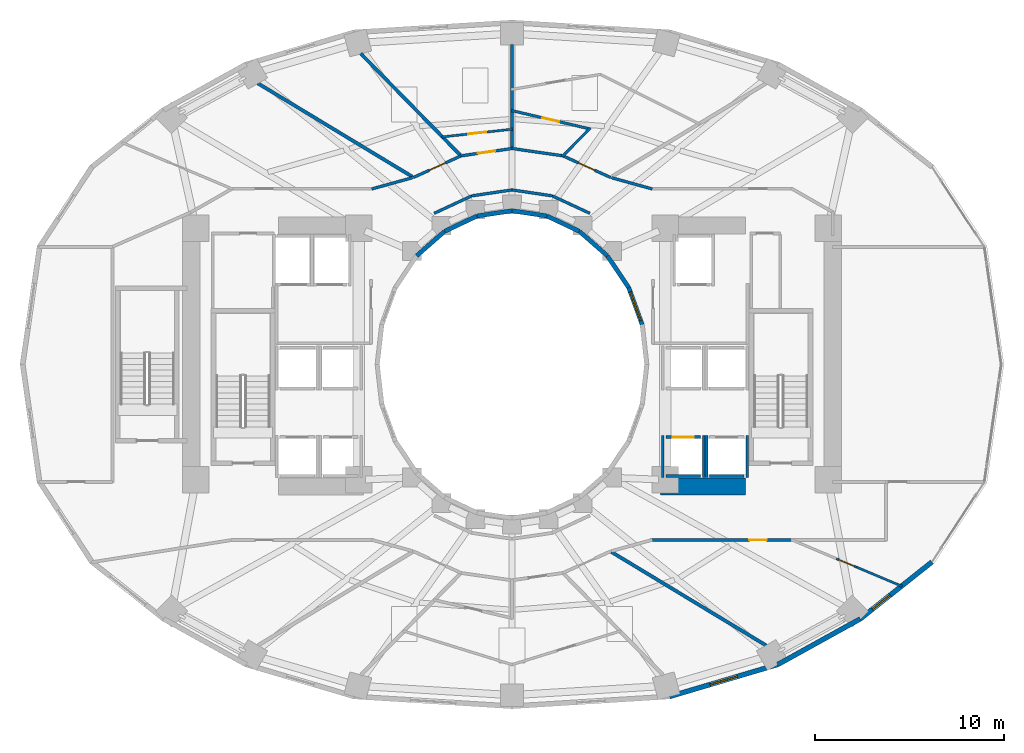
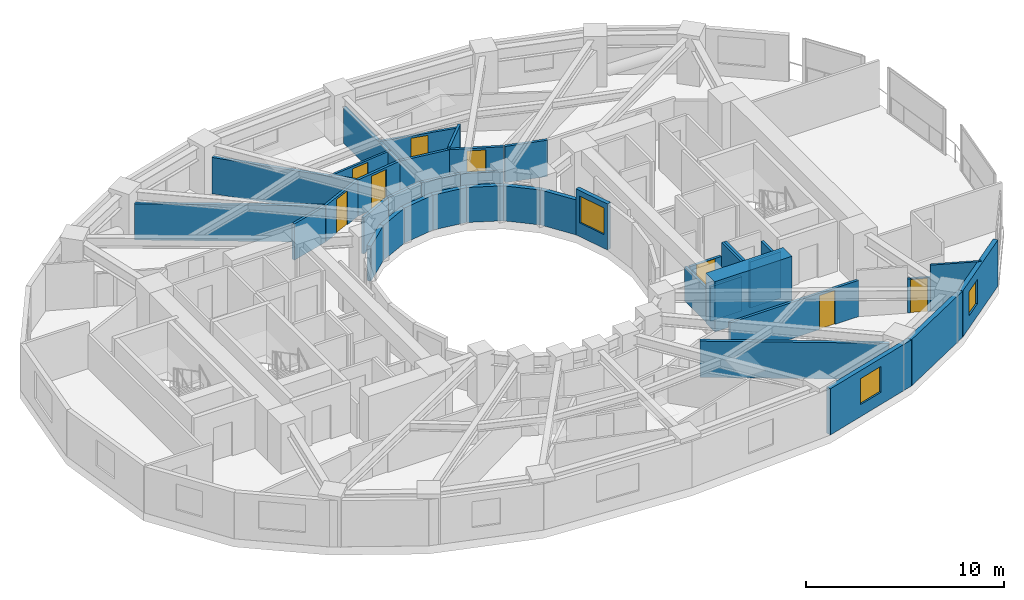
# One storey, part 9 of 15: 39 walls, 8 doors, 3 windows, 11 openings.
"""IFC4 building model written with IfcOpenShell, lengths in metres."""

from ifc_helpers import new_model, si_unit, direction, frame, frame_2d, origin, place, context, subcontext, project, spatial, rectangle, extrude, material, layer, layer_set, type_object, element, fill, save


model = new_model("IFC4")

# Units and contexts
model_context = context("Model", 3, precision=1e-05, world=origin(), true_north=direction((0.0, 1.0)))
body_context = subcontext(model_context, "Body", "Model", "MODEL_VIEW")
ifc_project = project(units=[si_unit("LENGTHUNIT", "METRE"), si_unit("AREAUNIT", "SQUARE_METRE"), si_unit("VOLUMEUNIT", "CUBIC_METRE"), si_unit("PLANEANGLEUNIT", "RADIAN"), si_unit("MASSUNIT", "GRAM", prefix="KILO")], contexts=[model_context])

# Site, building, storey
site_placement = place(None, origin())
site = spatial("IfcSite", under=ifc_project, at=site_placement, CompositionType="ELEMENT")
building_placement = place(site_placement, origin())
building = spatial("IfcBuilding", under=site, at=building_placement, Name="Solvane Sanctuary Tower", CompositionType="ELEMENT")
storey_placement = place(building_placement, frame((0.0, 0.0, 46.199951171875)))
storey = spatial("IfcBuildingStorey", under=building, at=storey_placement, Name="L13", CompositionType="ELEMENT", Elevation=46.199951171875)

# Walls
ifc_material_1 = material(Name="Concrete C70/85", Category="concrete")
ifc_layer_1 = layer(ifc_material_1, 0.89990234375, Name="Concrete C70/85")
ifc_layer_set_1 = layer_set([ifc_layer_1], Name="Concrete C70/85")
wall_type_1 = type_object("IfcWallType", Name="Wall W-CORE-900", PredefinedType="SHEAR", material=ifc_layer_set_1)
wall_1_placement = place(storey_placement, frame((39.85009765625, 16.550048828125, 0.0), z_axis=(0.0, 0.0, 1.0), x_axis=(1.0, 0.0, 0.0)))
element("IfcWall", 1, at=wall_1_placement, inside=storey, type_object=wall_type_1, Name="L13 Core Shear Wall EC-S", PredefinedType="SHEAR", context=body_context, shape_type="SweptSolid", body=[
    extrude(rectangle(XDim=4.5, YDim=0.89990234375, at=frame_2d((2.25, 0.0))), origin(), (0.0, 0.0, 1.0), 3.10009765625),
])
ifc_material_2 = material(Name="Acoustic Gypsum Partition Board")
ifc_layer_2 = layer(ifc_material_2, 0.14990234375, Name="Acoustic Gypsum Partition Board")
ifc_layer_set_2 = layer_set([ifc_layer_2], Name="Acoustic Gypsum Partition Board")
wall_type_2 = type_object("IfcWallType", Name="Wall W-CORR-150", PredefinedType="PARTITIONING", material=ifc_layer_set_2)
wall_2_placement = place(storey_placement, frame((36.110107421875, 30.98486328125, 0.0), z_axis=(0.0, 0.0, 1.0), x_axis=(-0.906943449489, 0.421252393975, 0.0)))
element("IfcWall", 2, at=wall_2_placement, inside=storey, type_object=wall_type_2, Name="L13 Light-Well Corridor Rim Wall N1", PredefinedType="PARTITIONING", context=body_context, shape_type="SweptSolid", body=[
    extrude(rectangle(XDim=2.18603515625, YDim=0.14990234375, at=frame_2d((1.093017578125, 0.0))), origin(), (0.0, 0.0, 1.0), 2.237060546875),
])
for number, where, z_axis, x_axis, name in (
    (3, (34.12744140625, 31.90576171875, 0.0), (0.0, 0.0, 1.0), (-0.989268584896, 0.146108408166, 0.0), "L13 Light-Well Corridor Rim Wall N2"),
    (4, (32.0, 32.219970703125, 0.0), (0.0, 0.0, 1.0), (-0.989268584896, -0.146108408166, 0.0), "L13 Light-Well Corridor Rim Wall N3"),
):
    element("IfcWall", number, at=place(storey_placement, frame(where, z_axis=z_axis, x_axis=x_axis)), inside=storey, type_object=wall_type_2, Name=name, PredefinedType="PARTITIONING", context=body_context, shape_type="SweptSolid", body=[
        extrude(rectangle(XDim=2.150634765625, YDim=0.14990234375, at=frame_2d((1.0751953125, 0.0))), origin(), (0.0, 0.0, 1.0), 2.237060546875),
    ])
wall_3_placement = place(storey_placement, frame((29.87255859375, 31.90576171875, 0.0), z_axis=(0.0, 0.0, 1.0), x_axis=(-0.906943449489, -0.421252393975, 0.0)))
element("IfcWall", 5, at=wall_3_placement, inside=storey, type_object=wall_type_2, Name="L13 Light-Well Corridor Rim Wall N4", PredefinedType="PARTITIONING", context=body_context, shape_type="SweptSolid", body=[
    extrude(rectangle(XDim=2.18603515625, YDim=0.14990234375, at=frame_2d((1.093017578125, 0.0))), origin(), (0.0, 0.0, 1.0), 2.237060546875),
])
for number, where, z_axis, x_axis, name in (
    (6, (37.258056640625, 32.86669921875, 0.0), (0.0, 0.0, 1.0), (0.963833843713, -0.266503886865, 0.0), "L13 NE Corner Throat Wall"),
    (7, (26.741943359375, 32.86669921875, 0.0), (0.0, 0.0, 1.0), (-0.963833843713, -0.266503886865, 0.0), "L13 NW Corner Throat Wall"),
):
    element("IfcWall", number, at=place(storey_placement, frame(where, z_axis=z_axis, x_axis=x_axis)), inside=storey, type_object=wall_type_2, Name=name, PredefinedType="PARTITIONING", context=body_context, shape_type="SweptSolid", body=[
        extrude(rectangle(XDim=2.231689453125, YDim=0.14990234375, at=frame_2d((1.11572265625, 0.0))), origin(), (0.0, 0.0, 1.0), 2.237060546875),
    ])

# Wall, opening, door
wall_4_placement = place(storey_placement, frame((39.330078125, 13.719970703125, 0.0), z_axis=(0.0, 0.0, 1.0), x_axis=(1.0, 0.0, 0.0)))
wall_4 = element("IfcWall", 8, at=wall_4_placement, inside=storey, type_object=wall_type_2, Name="L13 SE Corner Corridor Wall", PredefinedType="PARTITIONING", context=body_context, shape_type="SweptSolid", body=[
    extrude(rectangle(XDim=7.52001953125, YDim=0.14990234375, at=frame_2d((3.760009765625, 0.0))), origin(), (0.0, 0.0, 1.0), 2.237060546875),
])
opening_1_placement = place(wall_4_placement, frame((5.219970703125, 0.0, 0.0)))
opening_1 = element("IfcOpeningElement", 9, at=opening_1_placement, cuts=wall_4, Name="Opening D-L13-15", PredefinedType="OPENING", context=body_context, shape_type="SweptSolid", body=[
    extrude(rectangle(XDim=0.89990234375, YDim=2.10009765625, at=frame_2d((0.449951171875, 1.050048828125))), frame((0.0, 0.0849609375, 0.0), z_axis=(0.0, -1.0, 0.0), x_axis=(1.0, 0.0, 0.0)), (0.0, 0.0, 1.0), 0.169921875),
])
ifc_material_3 = material(Name="Engineered Tropical Hardwood", Category="wood")
door_type_1 = type_object("IfcDoorType", Name="Door D-WET-900", OperationType="NOTDEFINED", PredefinedType="DOOR", material=ifc_material_3)
door_1_placement = place(opening_1_placement, origin())
door_1 = element("IfcDoor", 10, at=door_1_placement, inside=storey, type_object=door_type_1, Name="L13 SE Corner Salon Door", OperationType="SINGLE_SWING_RIGHT", OverallHeight=2.10009765625, OverallWidth=0.89990234375, PredefinedType="DOOR", context=body_context, shape_type="SweptSolid", body=[
    extrude(rectangle(XDim=0.89990234375, YDim=2.10009765625, at=frame_2d((0.449951171875, 1.050048828125))), frame((0.0, 0.02490234375, 0.0), z_axis=(0.0, -1.0, 0.0), x_axis=(1.0, 0.0, 0.0)), (0.0, 0.0, 1.0), 0.050048828125),
])
fill(opening_1, door_1)

# Wall
wall_5_placement = place(storey_placement, frame((34.743896484375, 34.01416015625, 0.0), z_axis=(0.0, 0.0, 1.0), x_axis=(-0.989761784218, 0.142729150844, 0.0)))
element("IfcWall", 11, at=wall_5_placement, inside=storey, type_object=wall_type_2, Name="L13 En-suite Inner Wall N1", PredefinedType="PARTITIONING", context=body_context, shape_type="SweptSolid", body=[
    extrude(rectangle(XDim=2.822265625, YDim=0.14990234375, at=frame_2d((1.4111328125, 0.0))), origin(), (0.0, 0.0, 1.0), 2.237060546875),
])

# Wall, opening, door
wall_6_placement = place(storey_placement, frame((37.211181640625, 32.87744140625, 0.0), z_axis=(0.0, 0.0, 1.0), x_axis=(-0.910568469686, 0.41335827319, 0.0)))
wall_6 = element("IfcWall", 12, at=wall_6_placement, inside=storey, type_object=wall_type_2, Name="L13 Unit Corridor Wall N1", PredefinedType="PARTITIONING", context=body_context, shape_type="SweptSolid", body=[
    extrude(rectangle(XDim=2.771728515625, YDim=0.14990234375, at=frame_2d((1.3857421875, 0.0))), origin(), (0.0, 0.0, 1.0), 2.237060546875),
])
opening_2_placement = place(wall_6_placement, frame((0.910888671875, 0.0, 0.0)))
opening_2 = element("IfcOpeningElement", 13, at=opening_2_placement, cuts=wall_6, Name="Opening D-L13-18", PredefinedType="OPENING", context=body_context, shape_type="SweptSolid", body=[
    extrude(rectangle(XDim=0.949951171875, YDim=2.10009765625, at=frame_2d((0.47509765625, 1.050048828125))), frame((0.0, 0.0849609375, 0.0), z_axis=(0.0, -1.0, 0.0), x_axis=(1.0, 0.0, 0.0)), (0.0, 0.0, 1.0), 0.169921875),
])
door_type_2 = type_object("IfcDoorType", Name="Door D-ROOM-950", OperationType="NOTDEFINED", PredefinedType="DOOR", material=ifc_material_3)
door_2_placement = place(opening_2_placement, origin())
door_2 = element("IfcDoor", 14, at=door_2_placement, inside=storey, type_object=door_type_2, Name="L13 Unit Entrance Door N1", OperationType="SINGLE_SWING_LEFT", OverallHeight=2.10009765625, OverallWidth=0.949951171875, PredefinedType="DOOR", context=body_context, shape_type="SweptSolid", body=[
    extrude(rectangle(XDim=0.949951171875, YDim=2.10009765625, at=frame_2d((0.47509765625, 1.050048828125))), frame((0.0, 0.02490234375, 0.0), z_axis=(0.0, -1.0, 0.0), x_axis=(1.0, 0.0, 0.0)), (0.0, 0.0, 1.0), 0.050048828125),
])
fill(opening_2, door_2)

wall_7_placement = place(storey_placement, frame((32.00732421875, 34.409912109375, 0.0), z_axis=(0.0, 0.0, 1.0), x_axis=(-0.989748682384, -0.142819976611, 0.0)))
wall_7 = element("IfcWall", 15, at=wall_7_placement, inside=storey, type_object=wall_type_2, Name="L13 Unit Corridor Wall N2", PredefinedType="PARTITIONING", context=body_context, shape_type="SweptSolid", body=[
    extrude(rectangle(XDim=2.73681640625, YDim=0.14990234375, at=frame_2d((1.368408203125, 0.0))), origin(), (0.0, 0.0, 1.0), 2.237060546875),
])
opening_3_placement = place(wall_7_placement, frame((0.893310546875, 0.0, 0.0)))
opening_3 = element("IfcOpeningElement", 16, at=opening_3_placement, cuts=wall_7, Name="Opening D-L13-20", PredefinedType="OPENING", context=body_context, shape_type="SweptSolid", body=[
    extrude(rectangle(XDim=0.949951171875, YDim=2.10009765625, at=frame_2d((0.47509765625, 1.050048828125))), frame((0.0, 0.0849609375, 0.0), z_axis=(0.0, -1.0, 0.0), x_axis=(1.0, 0.0, 0.0)), (0.0, 0.0, 1.0), 0.169921875),
])
door_3_placement = place(opening_3_placement, origin())
door_3 = element("IfcDoor", 17, at=door_3_placement, inside=storey, type_object=door_type_2, Name="L13 Unit Entrance Door N2", OperationType="SINGLE_SWING_LEFT", OverallHeight=2.10009765625, OverallWidth=0.949951171875, PredefinedType="DOOR", context=body_context, shape_type="SweptSolid", body=[
    extrude(rectangle(XDim=0.949951171875, YDim=2.10009765625, at=frame_2d((0.47509765625, 1.050048828125))), frame((0.0, 0.02490234375, 0.0), z_axis=(0.0, -1.0, 0.0), x_axis=(1.0, 0.0, 0.0)), (0.0, 0.0, 1.0), 0.050048828125),
])
fill(opening_3, door_3)

wall_8_placement = place(storey_placement, frame((29.312744140625, 34.023193359375, 0.0), z_axis=(0.0, 0.0, 1.0), x_axis=(-0.910568469686, -0.41335827319, 0.0)))
wall_8 = element("IfcWall", 18, at=wall_8_placement, inside=storey, type_object=wall_type_2, Name="L13 Unit Corridor Wall N3", PredefinedType="PARTITIONING", context=body_context, shape_type="SweptSolid", body=[
    extrude(rectangle(XDim=2.771728515625, YDim=0.14990234375, at=frame_2d((1.3857421875, 0.0))), origin(), (0.0, 0.0, 1.0), 2.237060546875),
])
opening_4_placement = place(wall_8_placement, frame((0.910888671875, 0.0, 0.0)))
opening_4 = element("IfcOpeningElement", 19, at=opening_4_placement, cuts=wall_8, Name="Opening D-L13-21", PredefinedType="OPENING", context=body_context, shape_type="SweptSolid", body=[
    extrude(rectangle(XDim=0.949951171875, YDim=2.10009765625, at=frame_2d((0.47509765625, 1.050048828125))), frame((0.0, 0.0849609375, 0.0), z_axis=(0.0, -1.0, 0.0), x_axis=(1.0, 0.0, 0.0)), (0.0, 0.0, 1.0), 0.169921875),
])
door_4_placement = place(opening_4_placement, origin())
door_4 = element("IfcDoor", 20, at=door_4_placement, inside=storey, type_object=door_type_2, Name="L13 Unit Entrance Door N3", OperationType="SINGLE_SWING_RIGHT", OverallHeight=2.10009765625, OverallWidth=0.949951171875, PredefinedType="DOOR", context=body_context, shape_type="SweptSolid", body=[
    extrude(rectangle(XDim=0.949951171875, YDim=2.10009765625, at=frame_2d((0.47509765625, 1.050048828125))), frame((0.0, 0.02490234375, 0.0), z_axis=(0.0, -1.0, 0.0), x_axis=(1.0, 0.0, 0.0)), (0.0, 0.0, 1.0), 0.050048828125),
])
fill(opening_4, door_4)

# Wall, opening, window
ifc_material_4 = material(Name="Precast concrete C40/50", Category="concrete")
ifc_layer_3 = layer(ifc_material_4, 0.260009765625, Name="Precast concrete C40/50")
ifc_layer_set_3 = layer_set([ifc_layer_3], Name="Precast concrete C40/50")
wall_type_3 = type_object("IfcWallType", Name="Wall W-EXT-250", PredefinedType="STANDARD", material=ifc_layer_set_3)
wall_9_placement = place(storey_placement, frame((40.331787109375, 5.447021484375, 0.0), z_axis=(0.0, 0.0, 1.0), x_axis=(0.958843593522, 0.283934786811, 0.0)))
wall_9 = element("IfcWall", 21, at=wall_9_placement, inside=storey, type_object=wall_type_3, Name="L13 Ceramic-Printed Facade Wall 19", PredefinedType="STANDARD", context=body_context, shape_type="SweptSolid", body=[
    extrude(rectangle(XDim=5.955322265625, YDim=0.260009765625, at=frame_2d((2.9775390625, 0.0))), origin(), (0.0, 0.0, 1.0), 2.85009765625),
])
opening_5_placement = place(wall_9_placement, frame((2.227783203125, 0.0, 0.75)))
opening_5 = element("IfcOpeningElement", 22, at=opening_5_placement, cuts=wall_9, Name="Opening WN-OPER-1500", PredefinedType="OPENING", context=body_context, shape_type="SweptSolid", body=[
    extrude(rectangle(XDim=1.5, YDim=1.60009765625, at=frame_2d((0.75, 0.800048828125))), frame((0.0, 0.139892578125, 0.0), z_axis=(0.0, -1.0, 0.0), x_axis=(1.0, 0.0, 0.0)), (0.0, 0.0, 1.0), 0.280029296875),
])
ifc_material_5 = material(Name="Dark Ceramic-Fritted Low-E Glass", Category="glass")
window_type_1 = type_object("IfcWindowType", Name="Window WN-OPER-1500", PartitioningType="SINGLE_PANEL", PredefinedType="WINDOW", material=ifc_material_5)
window_1_placement = place(opening_5_placement, origin())
window_1 = element("IfcWindow", 23, at=window_1_placement, inside=storey, type_object=window_type_1, Name="L13 Operable Facade Window 19", OverallHeight=1.60009765625, OverallWidth=1.5, PartitioningType="SINGLE_PANEL", PredefinedType="WINDOW", context=body_context, shape_type="SweptSolid", body=[
    extrude(rectangle(XDim=1.5, YDim=1.60009765625, at=frame_2d((0.75, 0.800048828125))), frame((0.0, 0.030029296875, 0.0), z_axis=(0.0, -1.0, 0.0), x_axis=(1.0, 0.0, 0.0)), (0.0, 0.0, 1.0), 0.06005859375),
])
fill(opening_5, window_1)

# Wall
wall_10_placement = place(storey_placement, frame((46.0419921875, 7.137939453125, 0.0), z_axis=(0.0, 0.0, 1.0), x_axis=(0.875137303239, 0.483874674352, 0.0)))
element("IfcWall", 24, at=wall_10_placement, inside=storey, type_object=wall_type_3, Name="L13 Ceramic-Printed Facade Wall 20", PredefinedType="STANDARD", context=body_context, shape_type="SweptSolid", body=[
    extrude(rectangle(XDim=4.985107421875, YDim=0.260009765625, at=frame_2d((2.49267578125, 0.0))), origin(), (0.0, 0.0, 1.0), 2.85009765625),
])

# Wall, opening, window
wall_11_placement = place(storey_placement, frame((50.404541015625, 9.550048828125, 0.0), z_axis=(0.0, 0.0, 1.0), x_axis=(0.783123133379, 0.621866672179, 0.0)))
wall_11 = element("IfcWall", 25, at=wall_11_placement, inside=storey, type_object=wall_type_3, Name="L13 Ceramic-Printed Facade Wall 21", PredefinedType="STANDARD", context=body_context, shape_type="SweptSolid", body=[
    extrude(rectangle(XDim=4.838623046875, YDim=0.260009765625, at=frame_2d((2.41943359375, 0.0))), origin(), (0.0, 0.0, 1.0), 2.85009765625),
])
opening_6_placement = place(wall_11_placement, frame((0.819091796875, 0.0, 0.75)))
opening_6 = element("IfcOpeningElement", 26, at=opening_6_placement, cuts=wall_11, Name="Opening WN-OPER-1200", PredefinedType="OPENING", context=body_context, shape_type="SweptSolid", body=[
    extrude(rectangle(XDim=1.199951171875, YDim=1.5, at=frame_2d((0.60009765625, 0.75))), frame((0.0, 0.139892578125, 0.0), z_axis=(0.0, -1.0, 0.0), x_axis=(1.0, 0.0, 0.0)), (0.0, 0.0, 1.0), 0.280029296875),
])
window_type_2 = type_object("IfcWindowType", Name="Window WN-OPER-1200", PartitioningType="SINGLE_PANEL", PredefinedType="WINDOW", material=ifc_material_5)
window_2_placement = place(opening_6_placement, origin())
window_2 = element("IfcWindow", 27, at=window_2_placement, inside=storey, type_object=window_type_2, Name="L13 Operable Facade Window 21", OverallHeight=1.5, OverallWidth=1.199951171875, PartitioningType="SINGLE_PANEL", PredefinedType="WINDOW", context=body_context, shape_type="SweptSolid", body=[
    extrude(rectangle(XDim=1.199951171875, YDim=1.5, at=frame_2d((0.60009765625, 0.75))), frame((0.0, 0.030029296875, 0.0), z_axis=(0.0, -1.0, 0.0), x_axis=(1.0, 0.0, 0.0)), (0.0, 0.0, 1.0), 0.06005859375),
])
fill(opening_6, window_2)

ifc_layer_4 = layer(ifc_material_4, 0.22998046875, Name="Precast concrete C40/50")
ifc_layer_set_4 = layer_set([ifc_layer_4], Name="Precast concrete C40/50")
wall_type_4 = type_object("IfcWallType", Name="Wall W-EXT-SP220", PredefinedType="STANDARD", material=ifc_layer_set_4)
wall_12_placement = place(storey_placement, frame((38.87744140625, 25.1015625, 0.0), z_axis=(0.0, 0.0, 1.0), x_axis=(-0.341423187295, 0.93990968033, 0.0)))
wall_12 = element("IfcWall", 28, at=wall_12_placement, inside=storey, type_object=wall_type_4, Name="L13 Central Light-Well Wall 01", PredefinedType="STANDARD", context=body_context, shape_type="SweptSolid", body=[
    extrude(rectangle(XDim=2.083740234375, YDim=0.22998046875, at=frame_2d((1.0419921875, 0.0))), origin(), (0.0, 0.0, 1.0), 2.840087890625),
])
opening_7_placement = place(wall_12_placement, frame((0.24169921875, 0.0, 0.85009765625)))
opening_7 = element("IfcOpeningElement", 29, at=opening_7_placement, cuts=wall_12, Name="Opening WN-WELL-1600", PredefinedType="OPENING", context=body_context, shape_type="SweptSolid", body=[
    extrude(rectangle(XDim=1.60009765625, YDim=1.64990234375, at=frame_2d((0.800048828125, 0.824951171875))), frame((0.0, 0.125, 0.0), z_axis=(0.0, -1.0, 0.0), x_axis=(1.0, 0.0, 0.0)), (0.0, 0.0, 1.0), 0.25),
])
ifc_material_6 = material(Name="Clear Laminated Light-Well Glass", Category="glass")
window_type_3 = type_object("IfcWindowType", Name="Window WN-WELL-1600", PartitioningType="SINGLE_PANEL", PredefinedType="WINDOW", material=ifc_material_6)
window_3_placement = place(opening_7_placement, origin())
window_3 = element("IfcWindow", 30, at=window_3_placement, inside=storey, type_object=window_type_3, Name="L13 Light-Well Daylight Window 01", OverallHeight=1.64990234375, OverallWidth=1.60009765625, PartitioningType="SINGLE_PANEL", PredefinedType="WINDOW", context=body_context, shape_type="SweptSolid", body=[
    extrude(rectangle(XDim=1.60009765625, YDim=1.64990234375, at=frame_2d((0.800048828125, 0.824951171875))), frame((0.0, 0.030029296875, 0.0), z_axis=(0.0, -1.0, 0.0), x_axis=(1.0, 0.0, 0.0)), (0.0, 0.0, 1.0), 0.06005859375),
])
fill(opening_7, window_3)

# Walls
wall_13_placement = place(storey_placement, frame((38.166015625, 27.06005859375, 0.0), z_axis=(0.0, 0.0, 1.0), x_axis=(-0.558197800898, 0.829707909492, 0.0)))
element("IfcWall", 31, at=wall_13_placement, inside=storey, type_object=wall_type_4, Name="L13 Central Light-Well Wall 02", PredefinedType="STANDARD", context=body_context, shape_type="SweptSolid", body=[
    extrude(rectangle(XDim=2.02685546875, YDim=0.22998046875, at=frame_2d((1.013427734375, 0.0))), origin(), (0.0, 0.0, 1.0), 2.16015625),
])
wall_14_placement = place(storey_placement, frame((37.03466796875, 28.74169921875, 0.0), z_axis=(0.0, 0.0, 1.0), x_axis=(-0.752576694707, 0.658504607869, 0.0)))
element("IfcWall", 32, at=wall_14_placement, inside=storey, type_object=wall_type_4, Name="L13 Central Light-Well Wall 03", PredefinedType="STANDARD", context=body_context, shape_type="SweptSolid", body=[
    extrude(rectangle(XDim=1.95947265625, YDim=0.22998046875, at=frame_2d((0.979736328125, 0.0))), origin(), (0.0, 0.0, 1.0), 2.16015625),
])
wall_15_placement = place(storey_placement, frame((35.56005859375, 30.031982421875, 0.0), z_axis=(0.0, 0.0, 1.0), x_axis=(-0.904179699603, 0.427152280606, 0.0)))
element("IfcWall", 33, at=wall_15_placement, inside=storey, type_object=wall_type_4, Name="L13 Central Light-Well Wall 04", PredefinedType="STANDARD", context=body_context, shape_type="SweptSolid", body=[
    extrude(rectangle(XDim=1.899169921875, YDim=0.22998046875, at=frame_2d((0.94970703125, 0.0))), origin(), (0.0, 0.0, 1.0), 2.16015625),
])
for number, where, z_axis, x_axis, name in (
    (34, (33.8427734375, 30.84326171875, 0.0), (0.0, 0.0, 1.0), (-0.988901730308, 0.148571086668, 0.0), "L13 Central Light-Well Wall 05"),
    (35, (32.0, 31.1201171875, 0.0), (0.0, 0.0, 1.0), (-0.988901730308, -0.148571086668, 0.0), "L13 Central Light-Well Wall 06"),
):
    element("IfcWall", number, at=place(storey_placement, frame(where, z_axis=z_axis, x_axis=x_axis)), inside=storey, type_object=wall_type_4, Name=name, PredefinedType="STANDARD", context=body_context, shape_type="SweptSolid", body=[
        extrude(rectangle(XDim=1.863525390625, YDim=0.22998046875, at=frame_2d((0.931640625, 0.0))), origin(), (0.0, 0.0, 1.0), 2.16015625),
    ])
wall_16_placement = place(storey_placement, frame((30.1572265625, 30.84326171875, 0.0), z_axis=(0.0, 0.0, 1.0), x_axis=(-0.904179699603, -0.427152280606, 0.0)))
element("IfcWall", 36, at=wall_16_placement, inside=storey, type_object=wall_type_4, Name="L13 Central Light-Well Wall 07", PredefinedType="STANDARD", context=body_context, shape_type="SweptSolid", body=[
    extrude(rectangle(XDim=1.899169921875, YDim=0.22998046875, at=frame_2d((0.94970703125, 0.0))), origin(), (0.0, 0.0, 1.0), 2.16015625),
])
wall_17_placement = place(storey_placement, frame((28.43994140625, 30.031982421875, 0.0), z_axis=(0.0, 0.0, 1.0), x_axis=(-0.752576694707, -0.658504607869, 0.0)))
element("IfcWall", 37, at=wall_17_placement, inside=storey, type_object=wall_type_4, Name="L13 Central Light-Well Wall 08", PredefinedType="STANDARD", context=body_context, shape_type="SweptSolid", body=[
    extrude(rectangle(XDim=1.95947265625, YDim=0.22998046875, at=frame_2d((0.979736328125, 0.0))), origin(), (0.0, 0.0, 1.0), 2.16015625),
])

# Wall, opening, door
ifc_layer_5 = layer(ifc_material_2, 0.1201171875, Name="Acoustic Gypsum Partition Board")
ifc_layer_set_5 = layer_set([ifc_layer_5], Name="Acoustic Gypsum Partition Board")
wall_type_5 = type_object("IfcWallType", Name="Wall W-MOV-100", PredefinedType="MOVABLE", material=ifc_layer_set_5)
wall_18_placement = place(storey_placement, frame((49.14404296875, 12.7333984375, 0.0), z_axis=(0.0, 0.0, 1.0), x_axis=(0.92176888, -0.387739773384, 0.0)))
wall_18 = element("IfcWall", 38, at=wall_18_placement, inside=storey, type_object=wall_type_5, Name="L13 SE Corner Suite Partition", PredefinedType="MOVABLE", context=body_context, shape_type="SweptSolid", body=[
    extrude(rectangle(XDim=1.169921875, YDim=0.1201171875, at=frame_2d((0.5849609375, 0.0))), origin(), (0.0, 0.0, 1.0), 2.110107421875),
])
opening_8_placement = place(wall_18_placement, frame((0.159912109375, 0.0, 0.0)))
opening_8 = element("IfcOpeningElement", 39, at=opening_8_placement, cuts=wall_18, Name="Opening D-L13-14", PredefinedType="OPENING", context=body_context, shape_type="SweptSolid", body=[
    extrude(rectangle(XDim=0.85009765625, YDim=2.050048828125, at=frame_2d((0.425048828125, 1.02490234375))), frame((0.0, 0.070068359375, 0.0), z_axis=(0.0, -1.0, 0.0), x_axis=(1.0, 0.0, 0.0)), (0.0, 0.0, 1.0), 0.14013671875),
])
ifc_material_7 = material(Name="Architectural Stainless Steel 316", Category="steel")
door_type_3 = type_object("IfcDoorType", Name="Door D-RISER", OperationType="NOTDEFINED", PredefinedType="DOOR", material=ifc_material_7)
door_5_placement = place(opening_8_placement, origin())
door_5 = element("IfcDoor", 40, at=door_5_placement, inside=storey, type_object=door_type_3, Name="L13 SE Corner Suite Door", OperationType="SINGLE_SWING_LEFT", OverallHeight=2.050048828125, OverallWidth=0.85009765625, PredefinedType="DOOR", context=body_context, shape_type="SweptSolid", body=[
    extrude(rectangle(XDim=0.85009765625, YDim=2.050048828125, at=frame_2d((0.425048828125, 1.02490234375))), frame((0.0, 0.02490234375, 0.0), z_axis=(0.0, -1.0, 0.0), x_axis=(1.0, 0.0, 0.0)), (0.0, 0.0, 1.0), 0.050048828125),
])
fill(opening_8, door_5)

# Wall
wall_19_placement = place(storey_placement, frame((50.222412109375, 12.27978515625, 0.0), z_axis=(0.0, 0.0, 1.0), x_axis=(0.921706247461, -0.387888635295, 0.0)))
element("IfcWall", 41, at=wall_19_placement, inside=storey, type_object=wall_type_5, Name="L13 SE Corner Suite Partition", PredefinedType="MOVABLE", context=body_context, shape_type="SweptSolid", body=[
    extrude(rectangle(XDim=2.59326171875, YDim=0.1201171875, at=frame_2d((1.296630859375, 0.0))), origin(), (0.0, 0.0, 1.0), 2.85498046875),
])

# Wall, opening, door
wall_20_placement = place(storey_placement, frame((32.0498046875, 35.43212890625, 0.0), z_axis=(0.0, 0.0, 1.0), x_axis=(-0.993997647441, -0.109401448263, 0.0)))
wall_20 = element("IfcWall", 42, at=wall_20_placement, inside=storey, type_object=wall_type_5, Name="L13 Suite Sitting Lounge Partition N2", PredefinedType="MOVABLE", context=body_context, shape_type="SweptSolid", body=[
    extrude(rectangle(XDim=3.798095703125, YDim=0.1201171875, at=frame_2d((1.89892578125, 0.0))), origin(), (0.0, 0.0, 1.0), 2.237060546875),
])
opening_9_placement = place(wall_20_placement, frame((1.424072265625, 0.0, 0.0)))
opening_9 = element("IfcOpeningElement", 43, at=opening_9_placement, cuts=wall_20, Name="Opening D-L13-19", PredefinedType="OPENING", context=body_context, shape_type="SweptSolid", body=[
    extrude(rectangle(XDim=0.949951171875, YDim=2.10009765625, at=frame_2d((0.47509765625, 1.050048828125))), frame((0.0, 0.070068359375, 0.0), z_axis=(0.0, -1.0, 0.0), x_axis=(1.0, 0.0, 0.0)), (0.0, 0.0, 1.0), 0.14013671875),
])
door_6_placement = place(opening_9_placement, origin())
door_6 = element("IfcDoor", 44, at=door_6_placement, inside=storey, type_object=door_type_2, Name="L13 Suite Sitting Lounge Door N2", OperationType="SINGLE_SWING_RIGHT", OverallHeight=2.10009765625, OverallWidth=0.949951171875, PredefinedType="DOOR", context=body_context, shape_type="SweptSolid", body=[
    extrude(rectangle(XDim=0.949951171875, YDim=2.10009765625, at=frame_2d((0.47509765625, 1.050048828125))), frame((0.0, 0.02490234375, 0.0), z_axis=(0.0, -1.0, 0.0), x_axis=(1.0, 0.0, 0.0)), (0.0, 0.0, 1.0), 0.050048828125),
])
fill(opening_9, door_6)

ifc_material_8 = material(Name="Concrete C50/60", Category="concrete")
ifc_layer_6 = layer(ifc_material_8, 0.14990234375, Name="Concrete C50/60")
ifc_layer_set_6 = layer_set([ifc_layer_6], Name="Concrete C50/60")
wall_type_6 = type_object("IfcWallType", Name="Wall W-SHAFT-150", PredefinedType="SOLIDWALL", material=ifc_layer_set_6)
wall_21_placement = place(storey_placement, frame((40.139892578125, 19.159912109375, 0.0), z_axis=(0.0, 0.0, 1.0), x_axis=(1.0, 0.0, 0.0)))
wall_21 = element("IfcWall", 45, at=wall_21_placement, inside=storey, type_object=wall_type_6, Name="L13 PL-3 Lift Shaft Wall F", PredefinedType="SOLIDWALL", context=body_context, shape_type="SweptSolid", body=[
    extrude(rectangle(XDim=1.820068359375, YDim=0.14990234375, at=frame_2d((0.91015625, 0.0))), origin(), (0.0, 0.0, 1.0), 2.1201171875),
])
opening_10_placement = place(wall_21_placement, frame((0.360107421875, 0.0, 0.0)))
opening_10 = element("IfcOpeningElement", 46, at=opening_10_placement, cuts=wall_21, Name="Opening LD-L13-03", PredefinedType="OPENING", context=body_context, shape_type="SweptSolid", body=[
    extrude(rectangle(XDim=1.10009765625, YDim=2.10009765625, at=frame_2d((0.550048828125, 1.050048828125))), frame((0.0, 0.0849609375, 0.0), z_axis=(0.0, -1.0, 0.0), x_axis=(1.0, 0.0, 0.0)), (0.0, 0.0, 1.0), 0.169921875),
])
door_type_4 = type_object("IfcDoorType", Name="Door LD-PASS-1100", OperationType="NOTDEFINED", PredefinedType="DOOR", material=ifc_material_7)
door_7_placement = place(opening_10_placement, origin())
door_7 = element("IfcDoor", 47, at=door_7_placement, inside=storey, type_object=door_type_4, Name="L13 PL-3 Lift Landing Door", OperationType="DOUBLE_DOOR_SLIDING", OverallHeight=2.10009765625, OverallWidth=1.10009765625, PredefinedType="DOOR", context=body_context, shape_type="SweptSolid", body=[
    extrude(rectangle(XDim=1.10009765625, YDim=2.10009765625, at=frame_2d((0.550048828125, 1.050048828125))), frame((0.0, 0.02490234375, 0.0), z_axis=(0.0, -1.0, 0.0), x_axis=(1.0, 0.0, 0.0)), (0.0, 0.0, 1.0), 0.050048828125),
])
fill(opening_10, door_7)

# Walls
wall_22_placement = place(storey_placement, frame((40.139892578125, 17.10009765625, 0.0), z_axis=(0.0, 0.0, 1.0), x_axis=(1.0, 0.0, 0.0)))
element("IfcWall", 48, at=wall_22_placement, inside=storey, type_object=wall_type_6, Name="L13 PL-3 Lift Shaft Wall B", PredefinedType="SOLIDWALL", context=body_context, shape_type="SweptSolid", body=[
    extrude(rectangle(XDim=1.820068359375, YDim=0.14990234375, at=frame_2d((0.91015625, 0.0))), origin(), (0.0, 0.0, 1.0), 2.1201171875),
])
wall_23_placement = place(storey_placement, frame((39.969970703125, 17.02001953125, 0.0), z_axis=(0.0, 0.0, 1.0), x_axis=(0.0, 1.0, 0.0)))
element("IfcWall", 49, at=wall_23_placement, inside=storey, type_object=wall_type_6, Name="L13 PL-3 Lift Shaft Wall S1", PredefinedType="SOLIDWALL", context=body_context, shape_type="SweptSolid", body=[
    extrude(rectangle(XDim=2.219970703125, YDim=0.14990234375, at=frame_2d((1.10986328125, 0.0))), origin(), (0.0, 0.0, 1.0), 2.1201171875),
])
wall_24_placement = place(storey_placement, frame((42.1298828125, 17.02001953125, 0.0), z_axis=(0.0, 0.0, 1.0), x_axis=(0.0, 1.0, 0.0)))
element("IfcWall", 50, at=wall_24_placement, inside=storey, type_object=wall_type_6, Name="L13 PL-3 Lift Shaft Wall S2", PredefinedType="SOLIDWALL", context=body_context, shape_type="SweptSolid", body=[
    extrude(rectangle(XDim=2.219970703125, YDim=0.14990234375, at=frame_2d((1.10986328125, 0.0))), origin(), (0.0, 0.0, 1.0), 2.85498046875),
])
wall_25_placement = place(storey_placement, frame((42.43994140625, 17.10009765625, 0.0), z_axis=(0.0, 0.0, 1.0), x_axis=(1.0, 0.0, 0.0)))
element("IfcWall", 51, at=wall_25_placement, inside=storey, type_object=wall_type_6, Name="L13 PL-4 Lift Shaft Wall B", PredefinedType="SOLIDWALL", context=body_context, shape_type="SweptSolid", body=[
    extrude(rectangle(XDim=1.820068359375, YDim=0.14990234375, at=frame_2d((0.91015625, 0.0))), origin(), (0.0, 0.0, 1.0), 2.85498046875),
])
wall_26_placement = place(storey_placement, frame((42.27001953125, 17.02001953125, 0.0), z_axis=(0.0, 0.0, 1.0), x_axis=(0.0, 1.0, 0.0)))
element("IfcWall", 52, at=wall_26_placement, inside=storey, type_object=wall_type_6, Name="L13 PL-4 Lift Shaft Wall S1", PredefinedType="SOLIDWALL", context=body_context, shape_type="SweptSolid", body=[
    extrude(rectangle(XDim=2.219970703125, YDim=0.14990234375, at=frame_2d((1.10986328125, 0.0))), origin(), (0.0, 0.0, 1.0), 2.85498046875),
])
wall_27_placement = place(storey_placement, frame((44.429931640625, 17.02001953125, 0.0), z_axis=(0.0, 0.0, 1.0), x_axis=(0.0, 1.0, 0.0)))
element("IfcWall", 53, at=wall_27_placement, inside=storey, type_object=wall_type_6, Name="L13 PL-4 Lift Shaft Wall S2", PredefinedType="SOLIDWALL", context=body_context, shape_type="SweptSolid", body=[
    extrude(rectangle(XDim=2.219970703125, YDim=0.14990234375, at=frame_2d((1.10986328125, 0.0))), origin(), (0.0, 0.0, 1.0), 2.1201171875),
])
ifc_layer_7 = layer(ifc_material_2, 0.179931640625, Name="Acoustic Gypsum Partition Board")
ifc_layer_set_7 = layer_set([ifc_layer_7], Name="Acoustic Gypsum Partition Board")
wall_type_7 = type_object("IfcWallType", Name="Wall W-UNIT-180", PredefinedType="PARTITIONING", material=ifc_layer_set_7)
wall_28_placement = place(storey_placement, frame((32.0, 34.465087890625, 0.0), z_axis=(0.0, 0.0, 1.0), x_axis=(0.0, 1.0, 0.0)))
element("IfcWall", 54, at=wall_28_placement, inside=storey, type_object=wall_type_7, Name="L13 Radial Compartment Wall 090", PredefinedType="PARTITIONING", context=body_context, shape_type="SweptSolid", body=[
    extrude(rectangle(XDim=5.434814453125, YDim=0.179931640625, at=frame_2d((2.71728515625, 0.0))), origin(), (0.0, 0.0, 1.0), 2.237060546875),
])
wall_29_placement = place(storey_placement, frame((29.26708984375, 34.060546875, 0.0), z_axis=(0.0, 0.0, 1.0), x_axis=(-0.700234780085, 0.713912636644, 0.0)))
element("IfcWall", 55, at=wall_29_placement, inside=storey, type_object=wall_type_7, Name="L13 Radial Compartment Wall 105", PredefinedType="PARTITIONING", context=body_context, shape_type="SweptSolid", body=[
    extrude(rectangle(XDim=7.5146484375, YDim=0.179931640625, at=frame_2d((3.75732421875, 0.0))), origin(), (0.0, 0.0, 1.0), 2.237060546875),
])
for number, where, z_axis, x_axis, name in (
    (56, (26.747802734375, 32.909912109375, 0.0), (0.0, 0.0, 1.0), (-0.855817136021, 0.517278483694, 0.0), "L13 Radial Compartment Wall 120"),
    (57, (37.252197265625, 13.090087890625, 0.0), (0.0, 0.0, 1.0), (0.855817136021, -0.517278483694, 0.0), "L13 Radial Compartment Wall 300"),
):
    element("IfcWall", number, at=place(storey_placement, frame(where, z_axis=z_axis, x_axis=x_axis)), inside=storey, type_object=wall_type_7, Name=name, PredefinedType="PARTITIONING", context=body_context, shape_type="SweptSolid", body=[
        extrude(rectangle(XDim=9.56396484375, YDim=0.179931640625, at=frame_2d((4.781982421875, 0.0))), origin(), (0.0, 0.0, 1.0), 2.237060546875),
    ])
ifc_layer_8 = layer(ifc_material_2, 0.139892578125, Name="Acoustic Gypsum Partition Board")
ifc_layer_set_8 = layer_set([ifc_layer_8], Name="Acoustic Gypsum Partition Board")
wall_type_8 = type_object("IfcWallType", Name="Wall W-WET-140", PredefinedType="PLUMBINGWALL", material=ifc_layer_set_8)
wall_30_placement = place(storey_placement, frame((34.6591796875, 33.985595703125, 0.0), z_axis=(0.0, 0.0, 1.0), x_axis=(0.700331728855, 0.713817532398, 0.0)))
element("IfcWall", 58, at=wall_30_placement, inside=storey, type_object=wall_type_8, Name="L13 En-suite Side Partition N1", PredefinedType="PLUMBINGWALL", context=body_context, shape_type="SweptSolid", body=[
    extrude(rectangle(XDim=2.10009765625, YDim=0.139892578125, at=frame_2d((1.050048828125, 0.0))), origin(), (0.0, 0.0, 1.0), 2.385009765625),
])

# Wall, opening, door
wall_31_placement = place(storey_placement, frame((36.1435546875, 35.4375, 0.0), z_axis=(0.0, 0.0, 1.0), x_axis=(-0.973546394015, 0.228489427982, 0.0)))
wall_31 = element("IfcWall", 59, at=wall_31_placement, inside=storey, type_object=wall_type_8, Name="L13 En-suite Bedroom Wall N1", PredefinedType="PLUMBINGWALL", context=body_context, shape_type="SweptSolid", body=[
    extrude(rectangle(XDim=4.30615234375, YDim=0.139892578125, at=frame_2d((2.153076171875, 0.0))), origin(), (0.0, 0.0, 1.0), 2.237060546875),
])
opening_11_placement = place(wall_31_placement, frame((1.702880859375, 0.0, 0.0)))
opening_11 = element("IfcOpeningElement", 60, at=opening_11_placement, cuts=wall_31, Name="Opening D-L13-17", PredefinedType="OPENING", context=body_context, shape_type="SweptSolid", body=[
    extrude(rectangle(XDim=0.89990234375, YDim=2.10009765625, at=frame_2d((0.449951171875, 1.050048828125))), frame((0.0, 0.079833984375, 0.0), z_axis=(0.0, -1.0, 0.0), x_axis=(1.0, 0.0, 0.0)), (0.0, 0.0, 1.0), 0.159912109375),
])
door_8_placement = place(opening_11_placement, origin())
door_8 = element("IfcDoor", 61, at=door_8_placement, inside=storey, type_object=door_type_1, Name="L13 En-suite Bathroom Door N1", OperationType="SINGLE_SWING_RIGHT", OverallHeight=2.10009765625, OverallWidth=0.89990234375, PredefinedType="DOOR", context=body_context, shape_type="SweptSolid", body=[
    extrude(rectangle(XDim=0.89990234375, YDim=2.10009765625, at=frame_2d((0.449951171875, 1.050048828125))), frame((0.0, 0.02490234375, 0.0), z_axis=(0.0, -1.0, 0.0), x_axis=(1.0, 0.0, 0.0)), (0.0, 0.0, 1.0), 0.050048828125),
])
fill(opening_11, door_8)

save(model, "model.ifc")
